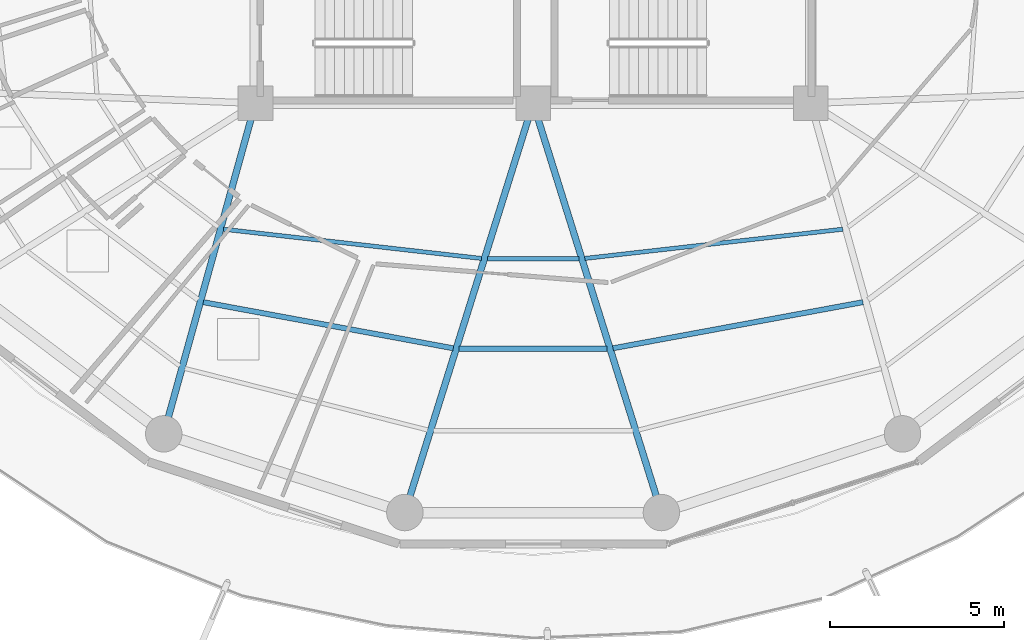
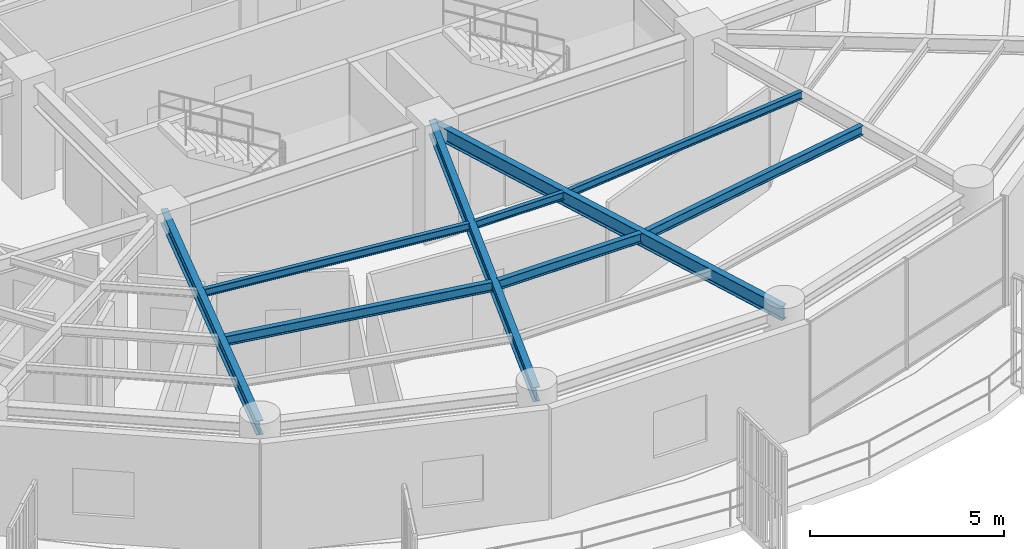
# One storey, part 5 of 30: 9 beams.
"""IFC4 building model written with IfcOpenShell, lengths in metres."""

from ifc_helpers import new_model, si_unit, direction, frame, origin, origin_2d, place, context, subcontext, project, spatial, i_section, extrude, material, material_profile, profile_set, type_object, element, save


model = new_model("IFC4")

# Units and contexts
model_context = context("Model", 3, precision=1e-05, world=origin(), true_north=direction((0.0, 1.0)))
body_context = subcontext(model_context, "Body", "Model", "MODEL_VIEW")
ifc_project = project(units=[si_unit("LENGTHUNIT", "METRE"), si_unit("AREAUNIT", "SQUARE_METRE"), si_unit("VOLUMEUNIT", "CUBIC_METRE"), si_unit("PLANEANGLEUNIT", "RADIAN"), si_unit("MASSUNIT", "GRAM", prefix="KILO")], contexts=[model_context])

# Site, building, storey
site_placement = place(None, origin())
site = spatial("IfcSite", under=ifc_project, at=site_placement, CompositionType="ELEMENT")
building_placement = place(site_placement, origin())
building = spatial("IfcBuilding", under=site, at=building_placement, Name="Kelanora Arch Commons", CompositionType="ELEMENT")
storey_placement = place(building_placement, frame((0.0, 0.0, 234.449951171875)))
storey = spatial("IfcBuildingStorey", under=building, at=storey_placement, Name="L60", CompositionType="ELEMENT", Elevation=234.449951171875)

# Beams
ifc_material = material(Name="Steel S355", Category="steel")
ifc_material_profile_1 = material_profile(ifc_material, i_section(OverallWidth=0.14990234375, OverallDepth=0.300048828125, WebThickness=0.007080078125, FlangeThickness=0.0107421875, FilletRadius=0.014892578125, at=origin_2d()), Name="IPE300")
ifc_profile_set_1 = profile_set([ifc_material_profile_1], Name="Steel S355")
beam_type_1 = type_object("IfcBeamType", Name="BM-JST-01", PredefinedType="JOIST", material=ifc_profile_set_1)
beam_1_placement = place(storey_placement, frame((64.49951171875, 45.270263671875, 3.340087890625), z_axis=(0.983389964671, -0.181505309519, 0.0), x_axis=(0.181505309519, 0.983389964671, 0.0)))
element("IfcBeam", 1, at=beam_1_placement, inside=storey, type_object=beam_type_1, Name="Secondary Chord Joist BJB-24 L60", PredefinedType="JOIST", context=body_context, shape_type="SweptSolid", body=[
    extrude(i_section(OverallWidth=0.14990234375, OverallDepth=0.300048828125, WebThickness=0.007080078125, FlangeThickness=0.0107421875, FilletRadius=0.014892578125, at=origin_2d()), origin(), (0.0, 0.0, 1.0), 7.3212890625),
])
beam_2_placement = place(storey_placement, frame((71.867919921875, 43.92578125, 3.340087890625), z_axis=(1.0, 0.0, 0.0), x_axis=(0.0, 1.0, 0.0)))
element("IfcBeam", 2, at=beam_2_placement, inside=storey, type_object=beam_type_1, Name="Secondary Chord Joist BJB-26 L60", PredefinedType="JOIST", context=body_context, shape_type="SweptSolid", body=[
    extrude(i_section(OverallWidth=0.14990234375, OverallDepth=0.300048828125, WebThickness=0.007080078125, FlangeThickness=0.0107421875, FilletRadius=0.014892578125, at=origin_2d()), origin(), (0.0, 0.0, 1.0), 4.26416015625),
])
beam_3_placement = place(storey_placement, frame((76.30078125, 43.94140625, 3.340087890625), z_axis=(0.983389964671, 0.181505309519, 0.0), x_axis=(-0.181505309519, 0.983389964671, 0.0)))
element("IfcBeam", 3, at=beam_3_placement, inside=storey, type_object=beam_type_1, Name="Secondary Chord Joist BJB-28 L60", PredefinedType="JOIST", context=body_context, shape_type="SweptSolid", body=[
    extrude(i_section(OverallWidth=0.14990234375, OverallDepth=0.300048828125, WebThickness=0.007080078125, FlangeThickness=0.0107421875, FilletRadius=0.014892578125, at=origin_2d()), origin(), (0.0, 0.0, 1.0), 7.3212890625),
])
ifc_material_profile_2 = material_profile(ifc_material, i_section(OverallWidth=0.1201171875, OverallDepth=0.239990234375, WebThickness=0.006103515625, FlangeThickness=0.009765625, FilletRadius=0.014892578125, at=origin_2d()), Name="IPE240")
ifc_profile_set_2 = profile_set([ifc_material_profile_2], Name="Steel S355")
beam_type_2 = type_object("IfcBeamType", Name="BM-JST-02", PredefinedType="JOIST", material=ifc_profile_set_2)
beam_4_placement = place(storey_placement, frame((65.081298828125, 47.371337890625, 3.3701171875), z_axis=(0.993639672263, -0.11260640171, 0.0), x_axis=(0.11260640171, 0.993639672263, 0.0)))
element("IfcBeam", 4, at=beam_4_placement, inside=storey, type_object=beam_type_2, Name="Secondary Chord Joist BJA-24 L60", PredefinedType="JOIST", context=body_context, shape_type="SweptSolid", body=[
    extrude(i_section(OverallWidth=0.1201171875, OverallDepth=0.239990234375, WebThickness=0.006103515625, FlangeThickness=0.009765625, FilletRadius=0.014892578125, at=origin_2d()), origin(), (0.0, 0.0, 1.0), 7.477783203125),
])
beam_5_placement = place(storey_placement, frame((72.680908203125, 46.519775390625, 3.3701171875), z_axis=(1.0, 0.0, 0.0), x_axis=(0.0, 1.0, 0.0)))
element("IfcBeam", 5, at=beam_5_placement, inside=storey, type_object=beam_type_2, Name="Secondary Chord Joist BJA-26 L60", PredefinedType="JOIST", context=body_context, shape_type="SweptSolid", body=[
    extrude(i_section(OverallWidth=0.1201171875, OverallDepth=0.239990234375, WebThickness=0.006103515625, FlangeThickness=0.009765625, FilletRadius=0.014892578125, at=origin_2d()), origin(), (0.0, 0.0, 1.0), 2.63818359375),
])
beam_6_placement = place(storey_placement, frame((75.488525390625, 46.529296875, 3.3701171875), z_axis=(0.993639672263, 0.11260640171, 0.0), x_axis=(-0.11260640171, 0.993639672263, 0.0)))
element("IfcBeam", 6, at=beam_6_placement, inside=storey, type_object=beam_type_2, Name="Secondary Chord Joist BJA-28 L60", PredefinedType="JOIST", context=body_context, shape_type="SweptSolid", body=[
    extrude(i_section(OverallWidth=0.1201171875, OverallDepth=0.239990234375, WebThickness=0.006103515625, FlangeThickness=0.009765625, FilletRadius=0.014892578125, at=origin_2d()), origin(), (0.0, 0.0, 1.0), 7.477783203125),
])
ifc_material_profile_3 = material_profile(ifc_material, i_section(OverallWidth=0.18994140625, OverallDepth=0.449951171875, WebThickness=0.009521484375, FlangeThickness=0.0146484375, FilletRadius=0.02099609375, at=origin_2d()), Name="IPE450")
ifc_profile_set_3 = profile_set([ifc_material_profile_3], Name="Steel S355")
beam_type_3 = type_object("IfcBeamType", Name="BM-RAD-Z4", PredefinedType="BEAM", material=ifc_profile_set_3)
beam_7_placement = place(storey_placement, frame((66.0, 51.0, 3.26513671875), z_axis=(-0.267120164296, -0.963663228429, 0.0), x_axis=(0.963663228429, -0.267120164296, 0.0)))
element("IfcBeam", 7, at=beam_7_placement, inside=storey, type_object=beam_type_3, Name="Radial Floor Girder BR-24 L60", PredefinedType="BEAM", context=body_context, shape_type="SweptSolid", body=[
    extrude(i_section(OverallWidth=0.18994140625, OverallDepth=0.449951171875, WebThickness=0.009521484375, FlangeThickness=0.0146484375, FilletRadius=0.02099609375, at=origin_2d()), origin(), (0.0, 0.0, 1.0), 9.8828125),
])
for number, where, z_axis, x_axis, name in (
    (8, (74.0, 51.0, 3.26513671875), (-0.299080457492, -0.954227897279, 0.0), (0.954227897279, -0.299080457492, 0.0), "Radial Floor Girder BR-26 L60"),
    (9, (74.0, 51.0, 3.26513671875), (0.299080457492, -0.954227897279, 0.0), (0.954227897279, 0.299080457492, 0.0), "Radial Floor Girder BR-28 L60"),
):
    element("IfcBeam", number, at=place(storey_placement, frame(where, z_axis=z_axis, x_axis=x_axis)), inside=storey, type_object=beam_type_3, Name=name, PredefinedType="BEAM", context=body_context, shape_type="SweptSolid", body=[
        extrude(i_section(OverallWidth=0.18994140625, OverallDepth=0.449951171875, WebThickness=0.009521484375, FlangeThickness=0.0146484375, FilletRadius=0.02099609375, at=origin_2d()), origin(), (0.0, 0.0, 1.0), 12.35546875),
    ])

save(model, "model.ifc")
